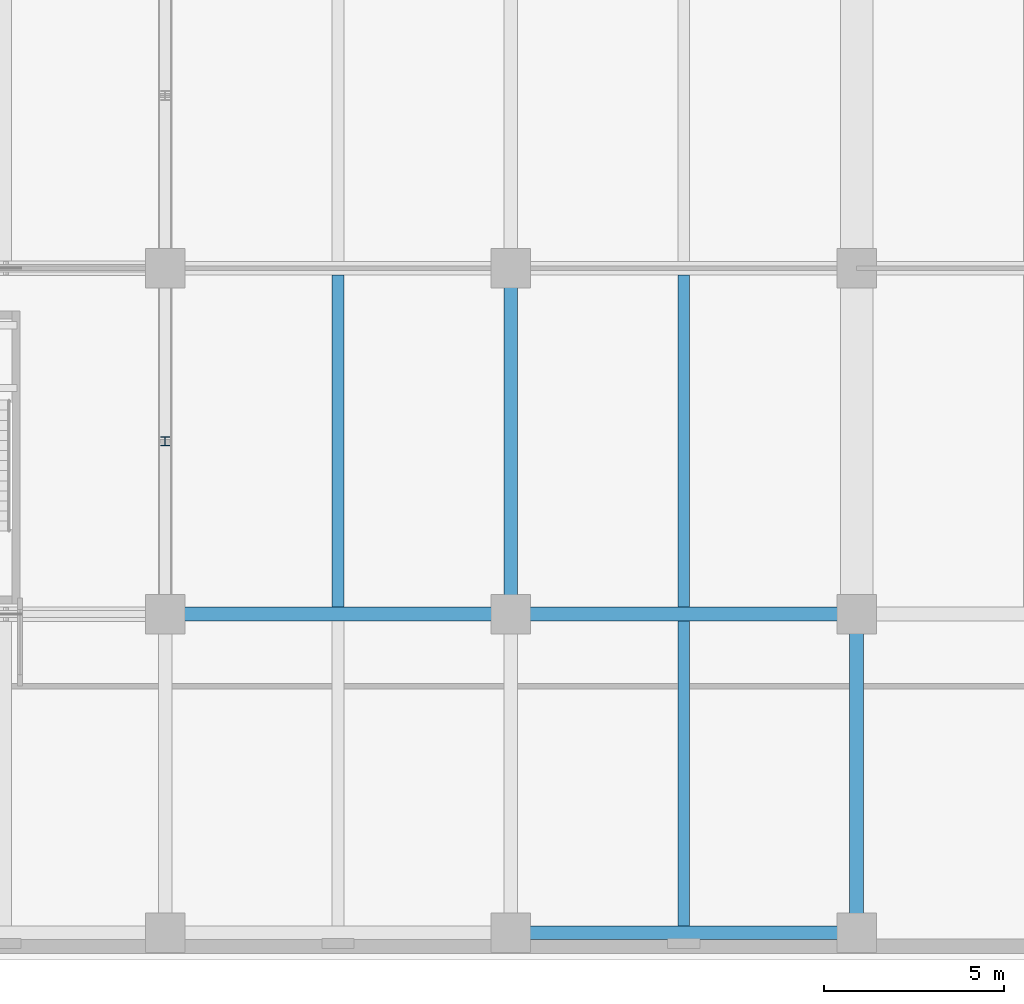
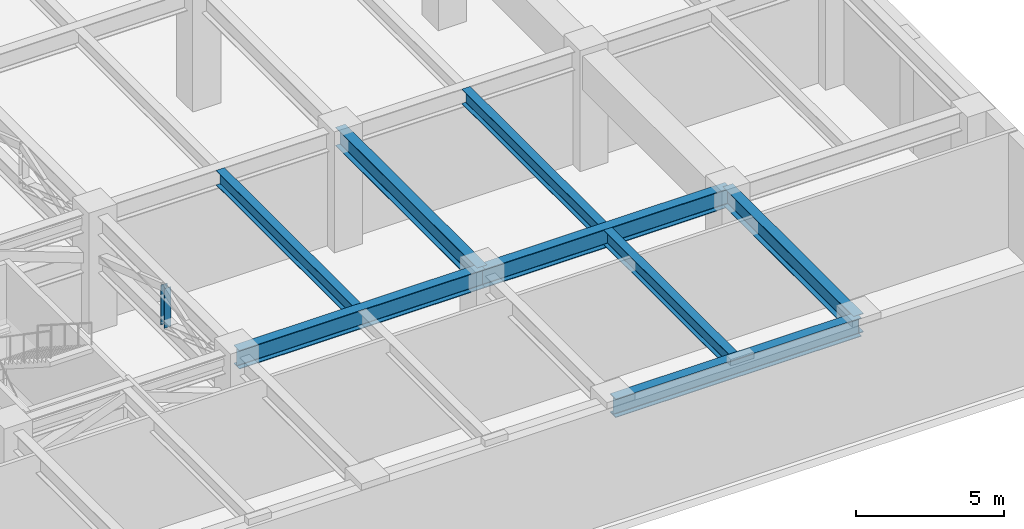
# One storey, part 4 of 22: 8 beams, 1 member.
"""IFC4 building model written with IfcOpenShell, lengths in metres."""

from ifc_helpers import new_model, si_unit, direction, frame, origin, origin_2d, place, context, subcontext, project, spatial, i_section, extrude, material, material_profile, profile_set, type_object, element, save


model = new_model("IFC4")

# Units and contexts
model_context = context("Model", 3, precision=1e-05, world=origin(), true_north=direction((0.0, 1.0)))
body_context = subcontext(model_context, "Body", "Model", "MODEL_VIEW")
ifc_project = project(units=[si_unit("LENGTHUNIT", "METRE"), si_unit("AREAUNIT", "SQUARE_METRE"), si_unit("VOLUMEUNIT", "CUBIC_METRE"), si_unit("PLANEANGLEUNIT", "RADIAN"), si_unit("MASSUNIT", "GRAM", prefix="KILO")], contexts=[model_context])

# Site, building, storey
site_placement = place(None, origin())
site = spatial("IfcSite", under=ifc_project, at=site_placement, CompositionType="ELEMENT")
building_placement = place(site_placement, origin())
building = spatial("IfcBuilding", under=site, at=building_placement, Name="Norrvale University Quadrangle", CompositionType="ELEMENT")
storey_placement = place(building_placement, frame((0.0, 0.0, 96.39990234375)))
storey = spatial("IfcBuildingStorey", under=building, at=storey_placement, Name="L24", CompositionType="ELEMENT", Elevation=96.39990234375)

# Beams
ifc_material = material(Name="Steel 350W", Category="steel")
ifc_material_profile_1 = material_profile(ifc_material, i_section(OverallWidth=0.324951171875, OverallDepth=0.615966796875, WebThickness=0.013916015625, FlangeThickness=0.021484375, FilletRadius=0.01611328125, at=origin_2d()), Name="Steel 350W")
ifc_profile_set_1 = profile_set([ifc_material_profile_1], Name="Steel 350W")
beam_type_1 = type_object("IfcBeamType", Name="Beam Belt W610x174", PredefinedType="BEAM", material=ifc_profile_set_1)
beam_1_placement = place(storey_placement, frame((42.449951171875, 9.79052734375, 4.43212890625), z_axis=(0.0, 1.0, 0.0), x_axis=(-1.0, 0.0, 0.0)))
element("IfcBeam", 1, at=beam_1_placement, inside=storey, type_object=beam_type_1, Name="Beam Belt W610x174 BM-L24-J091", PredefinedType="BEAM", context=body_context, shape_type="SweptSolid", body=[
    extrude(i_section(OverallWidth=0.324951171875, OverallDepth=0.615966796875, WebThickness=0.013916015625, FlangeThickness=0.021484375, FilletRadius=0.01611328125, at=origin_2d()), origin(), (0.0, 0.0, 1.0), 9.218994140625),
])
beam_2_placement = place(storey_placement, frame((52.050048828125, 0.9404296875, 4.43212890625), z_axis=(0.0, 1.0, 0.0), x_axis=(-1.0, 0.0, 0.0)))
element("IfcBeam", 2, at=beam_2_placement, inside=storey, type_object=beam_type_1, Name="Beam Belt W610x174 BM-L24-J094", PredefinedType="BEAM", context=body_context, shape_type="SweptSolid", body=[
    extrude(i_section(OverallWidth=0.324951171875, OverallDepth=0.615966796875, WebThickness=0.013916015625, FlangeThickness=0.021484375, FilletRadius=0.01611328125, at=origin_2d()), origin(), (0.0, 0.0, 1.0), 8.468994140625),
])
beam_3_placement = place(storey_placement, frame((52.050048828125, 9.79052734375, 4.43212890625), z_axis=(0.0, 1.0, 0.0), x_axis=(-1.0, 0.0, 0.0)))
element("IfcBeam", 3, at=beam_3_placement, inside=storey, type_object=beam_type_1, Name="Beam Belt W610x174 BM-L24-J095", PredefinedType="BEAM", context=body_context, shape_type="SweptSolid", body=[
    extrude(i_section(OverallWidth=0.324951171875, OverallDepth=0.615966796875, WebThickness=0.013916015625, FlangeThickness=0.021484375, FilletRadius=0.01611328125, at=origin_2d()), origin(), (0.0, 0.0, 1.0), 9.218994140625),
])
ifc_material_profile_2 = material_profile(ifc_material, i_section(OverallWidth=0.381103515625, OverallDepth=0.77294921875, WebThickness=0.0166015625, FlangeThickness=0.027587890625, FilletRadius=0.02001953125, at=origin_2d()), Name="Steel 350W")
ifc_profile_set_2 = profile_set([ifc_material_profile_2], Name="Steel 350W")
beam_type_2 = type_object("IfcBeamType", Name="Beam Outrig W760x257", PredefinedType="BEAM", material=ifc_profile_set_2)
for number, where, z_axis, x_axis, name in (
    (4, (47.25, 0.75, 4.353515625), (1.0, 0.0, 0.0), (0.0, 1.0, 0.0), "Beam Outrig W760x257 BM-L24-GX005"),
    (5, (37.64990234375, 9.60009765625, 4.353515625), (1.0, 0.0, 0.0), (0.0, 1.0, 0.0), "Beam Outrig W760x257 BM-L24-GX008"),
    (6, (47.25, 9.60009765625, 4.353515625), (1.0, 0.0, 0.0), (0.0, 1.0, 0.0), "Beam Outrig W760x257 BM-L24-GX009"),
):
    element("IfcBeam", number, at=place(storey_placement, frame(where, z_axis=z_axis, x_axis=x_axis)), inside=storey, type_object=beam_type_2, Name=name, PredefinedType="BEAM", context=body_context, shape_type="SweptSolid", body=[
        extrude(i_section(OverallWidth=0.381103515625, OverallDepth=0.77294921875, WebThickness=0.0166015625, FlangeThickness=0.027587890625, FilletRadius=0.02001953125, at=origin_2d()), origin(), (0.0, 0.0, 1.0), 9.60009765625),
    ])
beam_4_placement = place(storey_placement, frame((47.25, 9.60009765625, 4.353515625), z_axis=(0.0, 1.0, 0.0), x_axis=(-1.0, 0.0, 0.0)))
element("IfcBeam", 7, at=beam_4_placement, inside=storey, type_object=beam_type_2, Name="Beam Outrig W760x257 BM-L24-GY060", PredefinedType="BEAM", context=body_context, shape_type="SweptSolid", body=[
    extrude(i_section(OverallWidth=0.381103515625, OverallDepth=0.77294921875, WebThickness=0.0166015625, FlangeThickness=0.027587890625, FilletRadius=0.02001953125, at=origin_2d()), origin(), (0.0, 0.0, 1.0), 9.599853515625),
])
beam_5_placement = place(storey_placement, frame((56.85009765625, 0.75, 4.353515625), z_axis=(0.0, 1.0, 0.0), x_axis=(-1.0, 0.0, 0.0)))
element("IfcBeam", 8, at=beam_5_placement, inside=storey, type_object=beam_type_2, Name="Beam Outrig W760x257 BM-L24-GY063", PredefinedType="BEAM", context=body_context, shape_type="SweptSolid", body=[
    extrude(i_section(OverallWidth=0.381103515625, OverallDepth=0.77294921875, WebThickness=0.0166015625, FlangeThickness=0.027587890625, FilletRadius=0.02001953125, at=origin_2d()), origin(), (0.0, 0.0, 1.0), 8.85009765625),
])

# Member
ifc_material_profile_3 = material_profile(ifc_material, i_section(OverallWidth=0.25390625, OverallDepth=0.2529296875, WebThickness=0.008544921875, FlangeThickness=0.01416015625, FilletRadius=0.011962890625, at=origin_2d()), Name="Steel 350W")
ifc_profile_set_3 = profile_set([ifc_material_profile_3], Name="Steel 350W")
member_type = type_object("IfcMemberType", Name="Member Post W250x73", PredefinedType="POST", material=ifc_profile_set_3)
member_placement = place(storey_placement, frame((37.64990234375, 14.39990234375, 2.75), z_axis=(0.0, 0.0, 1.0), x_axis=(1.0, 0.0, 0.0)))
element("IfcMember", 9, at=member_placement, inside=storey, type_object=member_type, Name="Belt Truss Post L24-01", PredefinedType="POST", context=body_context, shape_type="SweptSolid", body=[
    extrude(i_section(OverallWidth=0.25390625, OverallDepth=0.2529296875, WebThickness=0.008544921875, FlangeThickness=0.01416015625, FilletRadius=0.011962890625, at=origin_2d()), origin(), (0.0, 0.0, 1.0), 1.64013671875),
])

save(model, "model.ifc")
